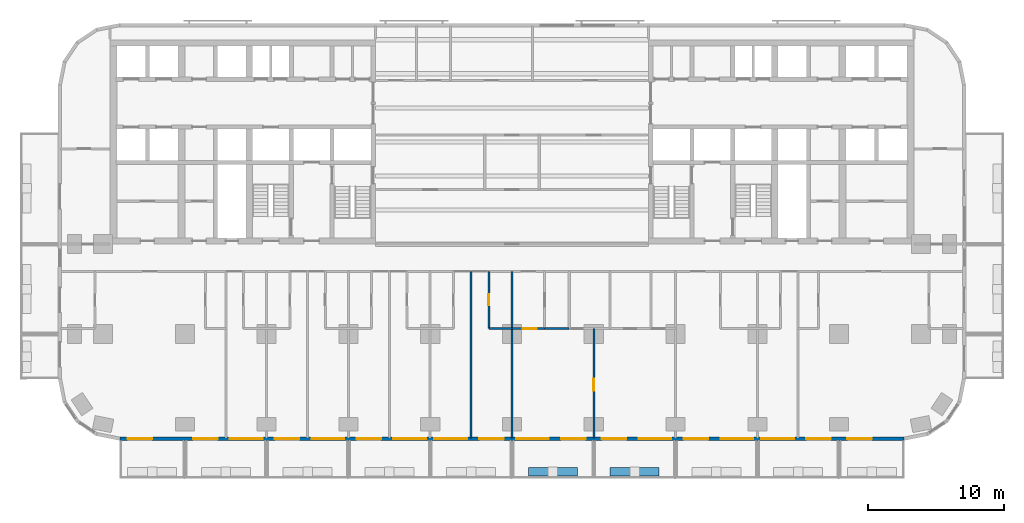
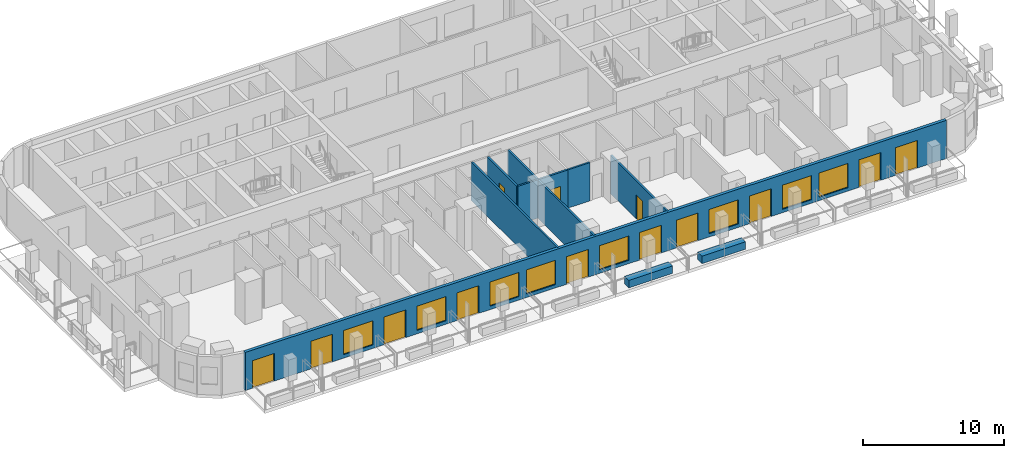
# One storey, part 5 of 14: 13 doors, 11 walls, 8 windows, 21 openings.
"""IFC4 building model written with IfcOpenShell, lengths in metres."""

from ifc_helpers import new_model, si_unit, direction, frame, frame_2d, origin, place, context, subcontext, project, spatial, rectangle, extrude, material, layer, layer_set, type_object, element, fill, save


model = new_model("IFC4")

# Units and contexts
model_context = context("Model", 3, precision=1e-05, world=origin(), true_north=direction((0.0, 1.0)))
body_context = subcontext(model_context, "Body", "Model", "MODEL_VIEW")
ifc_project = project(units=[si_unit("LENGTHUNIT", "METRE"), si_unit("AREAUNIT", "SQUARE_METRE"), si_unit("VOLUMEUNIT", "CUBIC_METRE"), si_unit("PLANEANGLEUNIT", "RADIAN"), si_unit("MASSUNIT", "GRAM", prefix="KILO")], contexts=[model_context])

# Site, building, storey
site_placement = place(None, origin())
site = spatial("IfcSite", under=ifc_project, at=site_placement, CompositionType="ELEMENT")
building_placement = place(site_placement, origin())
building = spatial("IfcBuilding", under=site, at=building_placement, Name="Torana Hotel and Residences", CompositionType="ELEMENT")
storey_placement = place(building_placement, frame((0.0, 0.0, 63.60009765625)))
storey = spatial("IfcBuildingStorey", under=building, at=storey_placement, Name="L15", CompositionType="ELEMENT", Elevation=63.60009765625)

# Wall, openings, doors, windows
ifc_material_1 = material(Name="Black aluminium composite panel", Category="aluminium")
ifc_layer_1 = layer(ifc_material_1, 0.00390625, Name="Cladding", Category="cladding")
ifc_material_2 = material(Name="Ventilated air cavity")
ifc_layer_2 = layer(ifc_material_2, 0.0400390625, Name="Ventilated cavity", Category="cavity")
ifc_material_3 = material(Name="Mineral wool insulation")
ifc_layer_3 = layer(ifc_material_3, 0.090087890625, Name="Insulation", Category="insulation")
ifc_material_4 = material(Name="Steel S280GD", Category="steel")
ifc_layer_4 = layer(ifc_material_4, 0.092041015625, Name="Steel stud frame", Category="structure")
ifc_material_5 = material(Name="Fire rated plasterboard")
ifc_layer_5 = layer(ifc_material_5, 0.011962890625, Name="Inner board", Category="finish")
ifc_layer_6 = layer(ifc_material_5, 0.011962890625, Name="Second board", Category="finish")
ifc_layer_set_1 = layer_set([ifc_layer_1, ifc_layer_2, ifc_layer_3, ifc_layer_4, ifc_layer_5, ifc_layer_6], Name="EW1 EXTERNAL WALL BLACK METAL CLAD 250")
wall_type_1 = type_object("IfcWallType", Name="EW1 EXTERNAL WALL BLACK METAL CLAD 250", PredefinedType="SOLIDWALL", material=ifc_layer_set_1)
wall_1_placement = place(storey_placement, frame((-28.775390625, -29.27490234375, 0.0), z_axis=(0.0, 0.0, 1.0), x_axis=(1.0, 0.0, 0.0)))
wall_1 = element("IfcWall", 1, at=wall_1_placement, inside=storey, type_object=wall_type_1, Name="External wall L15 e0.14", PredefinedType="SOLIDWALL", context=body_context, shape_type="SweptSolid", body=[
    extrude(rectangle(XDim=57.55078125, YDim=0.25, at=frame_2d((28.775390625, 0.0))), origin(), (0.0, 0.0, 1.0), 3.31982421875),
])
opening_1_placement = place(wall_1_placement, frame((0.575439453125, 0.0, 0.0)))
opening_1 = element("IfcOpeningElement", 2, at=opening_1_placement, cuts=wall_1, Name="Opening L15-E01", PredefinedType="OPENING", context=body_context, shape_type="SweptSolid", body=[
    extrude(rectangle(XDim=1.800048828125, YDim=2.39990234375, at=frame_2d((0.89990234375, 1.199951171875))), frame((0.0, 0.135009765625, 0.0), z_axis=(0.0, -1.0, 0.0), x_axis=(1.0, 0.0, 0.0)), (0.0, 0.0, 1.0), 0.27001953125),
])
opening_2_placement = place(wall_1_placement, frame((5.37548828125, 0.0, 0.0)))
opening_2 = element("IfcOpeningElement", 3, at=opening_2_placement, cuts=wall_1, Name="Opening L15-E02", PredefinedType="OPENING", context=body_context, shape_type="SweptSolid", body=[
    extrude(rectangle(XDim=1.800048828125, YDim=2.39990234375, at=frame_2d((0.89990234375, 1.199951171875))), frame((0.0, 0.135009765625, 0.0), z_axis=(0.0, -1.0, 0.0), x_axis=(1.0, 0.0, 0.0)), (0.0, 0.0, 1.0), 0.27001953125),
])
opening_3_placement = place(wall_1_placement, frame((8.075439453125, 0.0, 0.300048828125)))
opening_3 = element("IfcOpeningElement", 4, at=opening_3_placement, cuts=wall_1, Name="Opening W1", PredefinedType="OPENING", context=body_context, shape_type="SweptSolid", body=[
    extrude(rectangle(XDim=2.39990234375, YDim=2.10009765625, at=frame_2d((1.199951171875, 1.050048828125))), frame((0.0, 0.135009765625, 0.0), z_axis=(0.0, -1.0, 0.0), x_axis=(1.0, 0.0, 0.0)), (0.0, 0.0, 1.0), 0.27001953125),
])
opening_4_placement = place(wall_1_placement, frame((11.37548828125, 0.0, 0.0)))
opening_4 = element("IfcOpeningElement", 5, at=opening_4_placement, cuts=wall_1, Name="Opening L15-E03", PredefinedType="OPENING", context=body_context, shape_type="SweptSolid", body=[
    extrude(rectangle(XDim=1.800048828125, YDim=2.39990234375, at=frame_2d((0.89990234375, 1.199951171875))), frame((0.0, 0.135009765625, 0.0), z_axis=(0.0, -1.0, 0.0), x_axis=(1.0, 0.0, 0.0)), (0.0, 0.0, 1.0), 0.27001953125),
])
opening_5_placement = place(wall_1_placement, frame((14.075439453125, 0.0, 0.300048828125)))
opening_5 = element("IfcOpeningElement", 6, at=opening_5_placement, cuts=wall_1, Name="Opening W1", PredefinedType="OPENING", context=body_context, shape_type="SweptSolid", body=[
    extrude(rectangle(XDim=2.39990234375, YDim=2.10009765625, at=frame_2d((1.199951171875, 1.050048828125))), frame((0.0, 0.135009765625, 0.0), z_axis=(0.0, -1.0, 0.0), x_axis=(1.0, 0.0, 0.0)), (0.0, 0.0, 1.0), 0.27001953125),
])
opening_6_placement = place(wall_1_placement, frame((17.37548828125, 0.0, 0.0)))
opening_6 = element("IfcOpeningElement", 7, at=opening_6_placement, cuts=wall_1, Name="Opening L15-E04", PredefinedType="OPENING", context=body_context, shape_type="SweptSolid", body=[
    extrude(rectangle(XDim=1.800048828125, YDim=2.39990234375, at=frame_2d((0.89990234375, 1.199951171875))), frame((0.0, 0.135009765625, 0.0), z_axis=(0.0, -1.0, 0.0), x_axis=(1.0, 0.0, 0.0)), (0.0, 0.0, 1.0), 0.27001953125),
])
opening_7_placement = place(wall_1_placement, frame((20.075439453125, 0.0, 0.300048828125)))
opening_7 = element("IfcOpeningElement", 8, at=opening_7_placement, cuts=wall_1, Name="Opening W1", PredefinedType="OPENING", context=body_context, shape_type="SweptSolid", body=[
    extrude(rectangle(XDim=2.39990234375, YDim=2.10009765625, at=frame_2d((1.199951171875, 1.050048828125))), frame((0.0, 0.135009765625, 0.0), z_axis=(0.0, -1.0, 0.0), x_axis=(1.0, 0.0, 0.0)), (0.0, 0.0, 1.0), 0.27001953125),
])
opening_8_placement = place(wall_1_placement, frame((23.075439453125, 0.0, 0.300048828125)))
opening_8 = element("IfcOpeningElement", 9, at=opening_8_placement, cuts=wall_1, Name="Opening W1", PredefinedType="OPENING", context=body_context, shape_type="SweptSolid", body=[
    extrude(rectangle(XDim=2.39990234375, YDim=2.10009765625, at=frame_2d((1.199951171875, 1.050048828125))), frame((0.0, 0.135009765625, 0.0), z_axis=(0.0, -1.0, 0.0), x_axis=(1.0, 0.0, 0.0)), (0.0, 0.0, 1.0), 0.27001953125),
])
opening_9_placement = place(wall_1_placement, frame((26.37548828125, 0.0, 0.0)))
opening_9 = element("IfcOpeningElement", 10, at=opening_9_placement, cuts=wall_1, Name="Opening L15-E05", PredefinedType="OPENING", context=body_context, shape_type="SweptSolid", body=[
    extrude(rectangle(XDim=1.800048828125, YDim=2.39990234375, at=frame_2d((0.89990234375, 1.199951171875))), frame((0.0, 0.135009765625, 0.0), z_axis=(0.0, -1.0, 0.0), x_axis=(1.0, 0.0, 0.0)), (0.0, 0.0, 1.0), 0.27001953125),
])
opening_10_placement = place(wall_1_placement, frame((29.075439453125, 0.0, 0.300048828125)))
opening_10 = element("IfcOpeningElement", 11, at=opening_10_placement, cuts=wall_1, Name="Opening W1", PredefinedType="OPENING", context=body_context, shape_type="SweptSolid", body=[
    extrude(rectangle(XDim=2.39990234375, YDim=2.10009765625, at=frame_2d((1.199951171875, 1.050048828125))), frame((0.0, 0.135009765625, 0.0), z_axis=(0.0, -1.0, 0.0), x_axis=(1.0, 0.0, 0.0)), (0.0, 0.0, 1.0), 0.27001953125),
])
opening_11_placement = place(wall_1_placement, frame((32.37548828125, 0.0, 0.0)))
opening_11 = element("IfcOpeningElement", 12, at=opening_11_placement, cuts=wall_1, Name="Opening L15-E06", PredefinedType="OPENING", context=body_context, shape_type="SweptSolid", body=[
    extrude(rectangle(XDim=1.800048828125, YDim=2.39990234375, at=frame_2d((0.89990234375, 1.199951171875))), frame((0.0, 0.135009765625, 0.0), z_axis=(0.0, -1.0, 0.0), x_axis=(1.0, 0.0, 0.0)), (0.0, 0.0, 1.0), 0.27001953125),
])
opening_12_placement = place(wall_1_placement, frame((35.37548828125, 0.0, 0.0)))
opening_12 = element("IfcOpeningElement", 13, at=opening_12_placement, cuts=wall_1, Name="Opening L15-E07", PredefinedType="OPENING", context=body_context, shape_type="SweptSolid", body=[
    extrude(rectangle(XDim=1.800048828125, YDim=2.39990234375, at=frame_2d((0.89990234375, 1.199951171875))), frame((0.0, 0.135009765625, 0.0), z_axis=(0.0, -1.0, 0.0), x_axis=(1.0, 0.0, 0.0)), (0.0, 0.0, 1.0), 0.27001953125),
])
opening_13_placement = place(wall_1_placement, frame((38.075439453125, 0.0, 0.300048828125)))
opening_13 = element("IfcOpeningElement", 14, at=opening_13_placement, cuts=wall_1, Name="Opening W1", PredefinedType="OPENING", context=body_context, shape_type="SweptSolid", body=[
    extrude(rectangle(XDim=2.39990234375, YDim=2.10009765625, at=frame_2d((1.199951171875, 1.050048828125))), frame((0.0, 0.135009765625, 0.0), z_axis=(0.0, -1.0, 0.0), x_axis=(1.0, 0.0, 0.0)), (0.0, 0.0, 1.0), 0.27001953125),
])
opening_14_placement = place(wall_1_placement, frame((41.37548828125, 0.0, 0.0)))
opening_14 = element("IfcOpeningElement", 15, at=opening_14_placement, cuts=wall_1, Name="Opening L15-E08", PredefinedType="OPENING", context=body_context, shape_type="SweptSolid", body=[
    extrude(rectangle(XDim=1.800048828125, YDim=2.39990234375, at=frame_2d((0.89990234375, 1.199951171875))), frame((0.0, 0.135009765625, 0.0), z_axis=(0.0, -1.0, 0.0), x_axis=(1.0, 0.0, 0.0)), (0.0, 0.0, 1.0), 0.27001953125),
])
opening_15_placement = place(wall_1_placement, frame((44.075439453125, 0.0, 0.300048828125)))
opening_15 = element("IfcOpeningElement", 16, at=opening_15_placement, cuts=wall_1, Name="Opening W1", PredefinedType="OPENING", context=body_context, shape_type="SweptSolid", body=[
    extrude(rectangle(XDim=2.39990234375, YDim=2.10009765625, at=frame_2d((1.199951171875, 1.050048828125))), frame((0.0, 0.135009765625, 0.0), z_axis=(0.0, -1.0, 0.0), x_axis=(1.0, 0.0, 0.0)), (0.0, 0.0, 1.0), 0.27001953125),
])
opening_16_placement = place(wall_1_placement, frame((47.075439453125, 0.0, 0.300048828125)))
opening_16 = element("IfcOpeningElement", 17, at=opening_16_placement, cuts=wall_1, Name="Opening W1", PredefinedType="OPENING", context=body_context, shape_type="SweptSolid", body=[
    extrude(rectangle(XDim=2.39990234375, YDim=2.10009765625, at=frame_2d((1.199951171875, 1.050048828125))), frame((0.0, 0.135009765625, 0.0), z_axis=(0.0, -1.0, 0.0), x_axis=(1.0, 0.0, 0.0)), (0.0, 0.0, 1.0), 0.27001953125),
])
opening_17_placement = place(wall_1_placement, frame((50.37548828125, 0.0, 0.0)))
opening_17 = element("IfcOpeningElement", 18, at=opening_17_placement, cuts=wall_1, Name="Opening L15-E09", PredefinedType="OPENING", context=body_context, shape_type="SweptSolid", body=[
    extrude(rectangle(XDim=1.800048828125, YDim=2.39990234375, at=frame_2d((0.89990234375, 1.199951171875))), frame((0.0, 0.135009765625, 0.0), z_axis=(0.0, -1.0, 0.0), x_axis=(1.0, 0.0, 0.0)), (0.0, 0.0, 1.0), 0.27001953125),
])
opening_18_placement = place(wall_1_placement, frame((53.37548828125, 0.0, 0.0)))
opening_18 = element("IfcOpeningElement", 19, at=opening_18_placement, cuts=wall_1, Name="Opening L15-E10", PredefinedType="OPENING", context=body_context, shape_type="SweptSolid", body=[
    extrude(rectangle(XDim=1.800048828125, YDim=2.39990234375, at=frame_2d((0.89990234375, 1.199951171875))), frame((0.0, 0.135009765625, 0.0), z_axis=(0.0, -1.0, 0.0), x_axis=(1.0, 0.0, 0.0)), (0.0, 0.0, 1.0), 0.27001953125),
])
ifc_material_6 = material(Name="Dark glass in black aluminium frame", Category="aluminium")
door_type_1 = type_object("IfcDoorType", Name="DB1 BALCONY DOOR 1800x2400", OperationType="DOUBLE_DOOR_SINGLE_SWING", PredefinedType="DOOR", material=ifc_material_6)
door_1_placement = place(opening_1_placement, origin())
door_1 = element("IfcDoor", 20, at=door_1_placement, inside=storey, type_object=door_type_1, Name="Balcony door L15", OperationType="DOUBLE_DOOR_SINGLE_SWING", OverallHeight=2.39990234375, OverallWidth=1.800048828125, PredefinedType="DOOR", context=body_context, shape_type="SweptSolid", body=[
    extrude(rectangle(XDim=1.800048828125, YDim=2.39990234375, at=frame_2d((0.89990234375, 1.199951171875))), frame((0.0, 0.02490234375, 0.0), z_axis=(0.0, -1.0, 0.0), x_axis=(1.0, 0.0, 0.0)), (0.0, 0.0, 1.0), 0.050048828125),
])
fill(opening_1, door_1)
door_2_placement = place(opening_2_placement, frame((0.89990234375, 0.0, 0.0), z_axis=(0.0, 0.0, 1.0), x_axis=(-1.0, 0.0, 0.0)))
door_2 = element("IfcDoor", 21, at=door_2_placement, inside=storey, type_object=door_type_1, Name="Balcony door L15", OperationType="DOUBLE_DOOR_SINGLE_SWING", OverallHeight=2.39990234375, OverallWidth=1.800048828125, PredefinedType="DOOR", context=body_context, shape_type="SweptSolid", body=[
    extrude(rectangle(XDim=1.800048828125, YDim=2.39990234375, at=frame_2d((0.0, 1.199951171875))), frame((0.0, -0.02490234375, 0.0), z_axis=(0.0, 1.0, 0.0), x_axis=(-1.0, 0.0, 0.0)), (0.0, 0.0, 1.0), 0.050048828125),
])
fill(opening_2, door_2)
door_3_placement = place(opening_4_placement, frame((0.89990234375, 0.0, 0.0), z_axis=(0.0, 0.0, 1.0), x_axis=(-1.0, 0.0, 0.0)))
door_3 = element("IfcDoor", 22, at=door_3_placement, inside=storey, type_object=door_type_1, Name="Balcony door L15", OperationType="DOUBLE_DOOR_SINGLE_SWING", OverallHeight=2.39990234375, OverallWidth=1.800048828125, PredefinedType="DOOR", context=body_context, shape_type="SweptSolid", body=[
    extrude(rectangle(XDim=1.800048828125, YDim=2.39990234375, at=frame_2d((0.0, 1.199951171875))), frame((0.0, -0.02490234375, 0.0), z_axis=(0.0, 1.0, 0.0), x_axis=(-1.0, 0.0, 0.0)), (0.0, 0.0, 1.0), 0.050048828125),
])
fill(opening_4, door_3)
door_4_placement = place(opening_6_placement, frame((0.89990234375, 0.0, 0.0), z_axis=(0.0, 0.0, 1.0), x_axis=(-1.0, 0.0, 0.0)))
door_4 = element("IfcDoor", 23, at=door_4_placement, inside=storey, type_object=door_type_1, Name="Balcony door L15", OperationType="DOUBLE_DOOR_SINGLE_SWING", OverallHeight=2.39990234375, OverallWidth=1.800048828125, PredefinedType="DOOR", context=body_context, shape_type="SweptSolid", body=[
    extrude(rectangle(XDim=1.800048828125, YDim=2.39990234375, at=frame_2d((0.0, 1.199951171875))), frame((0.0, -0.02490234375, 0.0), z_axis=(0.0, 1.0, 0.0), x_axis=(-1.0, 0.0, 0.0)), (0.0, 0.0, 1.0), 0.050048828125),
])
fill(opening_6, door_4)
door_5_placement = place(opening_9_placement, frame((0.89990234375, 0.0, 0.0), z_axis=(0.0, 0.0, 1.0), x_axis=(-1.0, 0.0, 0.0)))
door_5 = element("IfcDoor", 24, at=door_5_placement, inside=storey, type_object=door_type_1, Name="Balcony door L15", OperationType="DOUBLE_DOOR_SINGLE_SWING", OverallHeight=2.39990234375, OverallWidth=1.800048828125, PredefinedType="DOOR", context=body_context, shape_type="SweptSolid", body=[
    extrude(rectangle(XDim=1.800048828125, YDim=2.39990234375, at=frame_2d((0.0, 1.199951171875))), frame((0.0, -0.02490234375, 0.0), z_axis=(0.0, 1.0, 0.0), x_axis=(-1.0, 0.0, 0.0)), (0.0, 0.0, 1.0), 0.050048828125),
])
fill(opening_9, door_5)
door_6_placement = place(opening_11_placement, frame((0.89990234375, 0.0, 0.0), z_axis=(0.0, 0.0, 1.0), x_axis=(-1.0, 0.0, 0.0)))
door_6 = element("IfcDoor", 25, at=door_6_placement, inside=storey, type_object=door_type_1, Name="Balcony door L15", OperationType="DOUBLE_DOOR_SINGLE_SWING", OverallHeight=2.39990234375, OverallWidth=1.800048828125, PredefinedType="DOOR", context=body_context, shape_type="SweptSolid", body=[
    extrude(rectangle(XDim=1.800048828125, YDim=2.39990234375, at=frame_2d((0.0, 1.199951171875))), frame((0.0, -0.02490234375, 0.0), z_axis=(0.0, 1.0, 0.0), x_axis=(-1.0, 0.0, 0.0)), (0.0, 0.0, 1.0), 0.050048828125),
])
fill(opening_11, door_6)
door_7_placement = place(opening_12_placement, frame((0.89990234375, 0.0, 0.0), z_axis=(0.0, 0.0, 1.0), x_axis=(-1.0, 0.0, 0.0)))
door_7 = element("IfcDoor", 26, at=door_7_placement, inside=storey, type_object=door_type_1, Name="Balcony door L15", OperationType="DOUBLE_DOOR_SINGLE_SWING", OverallHeight=2.39990234375, OverallWidth=1.800048828125, PredefinedType="DOOR", context=body_context, shape_type="SweptSolid", body=[
    extrude(rectangle(XDim=1.800048828125, YDim=2.39990234375, at=frame_2d((0.0, 1.199951171875))), frame((0.0, -0.02490234375, 0.0), z_axis=(0.0, 1.0, 0.0), x_axis=(-1.0, 0.0, 0.0)), (0.0, 0.0, 1.0), 0.050048828125),
])
fill(opening_12, door_7)
door_8_placement = place(opening_14_placement, frame((0.89990234375, 0.0, 0.0), z_axis=(0.0, 0.0, 1.0), x_axis=(-1.0, 0.0, 0.0)))
door_8 = element("IfcDoor", 27, at=door_8_placement, inside=storey, type_object=door_type_1, Name="Balcony door L15", OperationType="DOUBLE_DOOR_SINGLE_SWING", OverallHeight=2.39990234375, OverallWidth=1.800048828125, PredefinedType="DOOR", context=body_context, shape_type="SweptSolid", body=[
    extrude(rectangle(XDim=1.800048828125, YDim=2.39990234375, at=frame_2d((0.0, 1.199951171875))), frame((0.0, -0.02490234375, 0.0), z_axis=(0.0, 1.0, 0.0), x_axis=(-1.0, 0.0, 0.0)), (0.0, 0.0, 1.0), 0.050048828125),
])
fill(opening_14, door_8)
door_9_placement = place(opening_17_placement, frame((0.89990234375, 0.0, 0.0), z_axis=(0.0, 0.0, 1.0), x_axis=(-1.0, 0.0, 0.0)))
door_9 = element("IfcDoor", 28, at=door_9_placement, inside=storey, type_object=door_type_1, Name="Balcony door L15", OperationType="DOUBLE_DOOR_SINGLE_SWING", OverallHeight=2.39990234375, OverallWidth=1.800048828125, PredefinedType="DOOR", context=body_context, shape_type="SweptSolid", body=[
    extrude(rectangle(XDim=1.800048828125, YDim=2.39990234375, at=frame_2d((0.0, 1.199951171875))), frame((0.0, -0.02490234375, 0.0), z_axis=(0.0, 1.0, 0.0), x_axis=(-1.0, 0.0, 0.0)), (0.0, 0.0, 1.0), 0.050048828125),
])
fill(opening_17, door_9)
door_10_placement = place(opening_18_placement, frame((0.89990234375, 0.0, 0.0), z_axis=(0.0, 0.0, 1.0), x_axis=(-1.0, 0.0, 0.0)))
door_10 = element("IfcDoor", 29, at=door_10_placement, inside=storey, type_object=door_type_1, Name="Balcony door L15", OperationType="DOUBLE_DOOR_SINGLE_SWING", OverallHeight=2.39990234375, OverallWidth=1.800048828125, PredefinedType="DOOR", context=body_context, shape_type="SweptSolid", body=[
    extrude(rectangle(XDim=1.800048828125, YDim=2.39990234375, at=frame_2d((0.0, 1.199951171875))), frame((0.0, -0.02490234375, 0.0), z_axis=(0.0, 1.0, 0.0), x_axis=(-1.0, 0.0, 0.0)), (0.0, 0.0, 1.0), 0.050048828125),
])
fill(opening_18, door_10)
ifc_material_7 = material(Name="Dark glass in black aluminium frame", Category="aluminium")
window_type = type_object("IfcWindowType", Name="W1 HOTEL ROOM WINDOW 2400x2100", PartitioningType="SINGLE_PANEL", PredefinedType="WINDOW", material=ifc_material_7)
window_1_placement = place(opening_3_placement, origin())
window_1 = element("IfcWindow", 30, at=window_1_placement, inside=storey, type_object=window_type, Name="Window L15", OverallHeight=2.10009765625, OverallWidth=2.39990234375, PartitioningType="SINGLE_PANEL", PredefinedType="WINDOW", context=body_context, shape_type="SweptSolid", body=[
    extrude(rectangle(XDim=2.39990234375, YDim=2.10009765625, at=frame_2d((1.199951171875, 1.050048828125))), frame((0.0, 0.030029296875, 0.0), z_axis=(0.0, -1.0, 0.0), x_axis=(1.0, 0.0, 0.0)), (0.0, 0.0, 1.0), 0.06005859375),
])
fill(opening_3, window_1)
window_2_placement = place(opening_5_placement, origin())
window_2 = element("IfcWindow", 31, at=window_2_placement, inside=storey, type_object=window_type, Name="Window L15", OverallHeight=2.10009765625, OverallWidth=2.39990234375, PartitioningType="SINGLE_PANEL", PredefinedType="WINDOW", context=body_context, shape_type="SweptSolid", body=[
    extrude(rectangle(XDim=2.39990234375, YDim=2.10009765625, at=frame_2d((1.199951171875, 1.050048828125))), frame((0.0, 0.030029296875, 0.0), z_axis=(0.0, -1.0, 0.0), x_axis=(1.0, 0.0, 0.0)), (0.0, 0.0, 1.0), 0.06005859375),
])
fill(opening_5, window_2)
window_3_placement = place(opening_7_placement, origin())
window_3 = element("IfcWindow", 32, at=window_3_placement, inside=storey, type_object=window_type, Name="Window L15", OverallHeight=2.10009765625, OverallWidth=2.39990234375, PartitioningType="SINGLE_PANEL", PredefinedType="WINDOW", context=body_context, shape_type="SweptSolid", body=[
    extrude(rectangle(XDim=2.39990234375, YDim=2.10009765625, at=frame_2d((1.199951171875, 1.050048828125))), frame((0.0, 0.030029296875, 0.0), z_axis=(0.0, -1.0, 0.0), x_axis=(1.0, 0.0, 0.0)), (0.0, 0.0, 1.0), 0.06005859375),
])
fill(opening_7, window_3)
window_4_placement = place(opening_8_placement, origin())
window_4 = element("IfcWindow", 33, at=window_4_placement, inside=storey, type_object=window_type, Name="Window L15", OverallHeight=2.10009765625, OverallWidth=2.39990234375, PartitioningType="SINGLE_PANEL", PredefinedType="WINDOW", context=body_context, shape_type="SweptSolid", body=[
    extrude(rectangle(XDim=2.39990234375, YDim=2.10009765625, at=frame_2d((1.199951171875, 1.050048828125))), frame((0.0, 0.030029296875, 0.0), z_axis=(0.0, -1.0, 0.0), x_axis=(1.0, 0.0, 0.0)), (0.0, 0.0, 1.0), 0.06005859375),
])
fill(opening_8, window_4)
window_5_placement = place(opening_10_placement, origin())
window_5 = element("IfcWindow", 34, at=window_5_placement, inside=storey, type_object=window_type, Name="Window L15", OverallHeight=2.10009765625, OverallWidth=2.39990234375, PartitioningType="SINGLE_PANEL", PredefinedType="WINDOW", context=body_context, shape_type="SweptSolid", body=[
    extrude(rectangle(XDim=2.39990234375, YDim=2.10009765625, at=frame_2d((1.199951171875, 1.050048828125))), frame((0.0, 0.030029296875, 0.0), z_axis=(0.0, -1.0, 0.0), x_axis=(1.0, 0.0, 0.0)), (0.0, 0.0, 1.0), 0.06005859375),
])
fill(opening_10, window_5)
window_6_placement = place(opening_13_placement, origin())
window_6 = element("IfcWindow", 35, at=window_6_placement, inside=storey, type_object=window_type, Name="Window L15", OverallHeight=2.10009765625, OverallWidth=2.39990234375, PartitioningType="SINGLE_PANEL", PredefinedType="WINDOW", context=body_context, shape_type="SweptSolid", body=[
    extrude(rectangle(XDim=2.39990234375, YDim=2.10009765625, at=frame_2d((1.199951171875, 1.050048828125))), frame((0.0, 0.030029296875, 0.0), z_axis=(0.0, -1.0, 0.0), x_axis=(1.0, 0.0, 0.0)), (0.0, 0.0, 1.0), 0.06005859375),
])
fill(opening_13, window_6)
window_7_placement = place(opening_15_placement, origin())
window_7 = element("IfcWindow", 36, at=window_7_placement, inside=storey, type_object=window_type, Name="Window L15", OverallHeight=2.10009765625, OverallWidth=2.39990234375, PartitioningType="SINGLE_PANEL", PredefinedType="WINDOW", context=body_context, shape_type="SweptSolid", body=[
    extrude(rectangle(XDim=2.39990234375, YDim=2.10009765625, at=frame_2d((1.199951171875, 1.050048828125))), frame((0.0, 0.030029296875, 0.0), z_axis=(0.0, -1.0, 0.0), x_axis=(1.0, 0.0, 0.0)), (0.0, 0.0, 1.0), 0.06005859375),
])
fill(opening_15, window_7)
window_8_placement = place(opening_16_placement, origin())
window_8 = element("IfcWindow", 37, at=window_8_placement, inside=storey, type_object=window_type, Name="Window L15", OverallHeight=2.10009765625, OverallWidth=2.39990234375, PartitioningType="SINGLE_PANEL", PredefinedType="WINDOW", context=body_context, shape_type="SweptSolid", body=[
    extrude(rectangle(XDim=2.39990234375, YDim=2.10009765625, at=frame_2d((1.199951171875, 1.050048828125))), frame((0.0, 0.030029296875, 0.0), z_axis=(0.0, -1.0, 0.0), x_axis=(1.0, 0.0, 0.0)), (0.0, 0.0, 1.0), 0.06005859375),
])
fill(opening_16, window_8)

# Wall
ifc_material_8 = material(Name="Gypsum plaster")
ifc_layer_7 = layer(ifc_material_8, 0.014892578125, Name="Plaster", Category="finish")
ifc_material_9 = material(Name="Concrete blockwork", Category="masonry")
ifc_layer_8 = layer(ifc_material_9, 0.1201171875, Name="Blockwork", Category="structure")
ifc_layer_9 = layer(ifc_material_8, 0.014892578125, Name="Plaster", Category="finish")
ifc_layer_set_2 = layer_set([ifc_layer_7, ifc_layer_8, ifc_layer_9], Name="FIRE PARTITION 150 BLOCKWORK")
wall_type_2 = type_object("IfcWallType", Name="FIRE PARTITION 150 BLOCKWORK", PredefinedType="PARTITIONING", material=ifc_layer_set_2)
wall_2_placement = place(storey_placement, frame((0.0, -21.199951171875, 0.0), z_axis=(0.0, 0.0, 1.0), x_axis=(0.0, 1.0, 0.0)))
element("IfcWall", 38, at=wall_2_placement, inside=storey, type_object=wall_type_2, Name="Partition L15", PredefinedType="PARTITIONING", context=body_context, shape_type="SweptSolid", body=[
    extrude(rectangle(XDim=4.199951171875, YDim=0.14990234375, at=frame_2d((2.10009765625, 0.0))), origin(), (0.0, 0.0, 1.0), 3.31982421875),
])

# Wall, opening, door
wall_3_placement = place(storey_placement, frame((0.0, -21.199951171875, 0.0), z_axis=(0.0, 0.0, 1.0), x_axis=(1.0, 0.0, 0.0)))
wall_3 = element("IfcWall", 39, at=wall_3_placement, inside=storey, type_object=wall_type_2, Name="Partition L15", PredefinedType="PARTITIONING", context=body_context, shape_type="SweptSolid", body=[
    extrude(rectangle(XDim=2.39990234375, YDim=0.14990234375, at=frame_2d((1.199951171875, 0.0))), origin(), (0.0, 0.0, 1.0), 3.31982421875),
])
opening_19_placement = place(wall_3_placement, frame((0.800048828125, 0.0, 0.0)))
opening_19 = element("IfcOpeningElement", 40, at=opening_19_placement, cuts=wall_3, Name="Opening L15-70", PredefinedType="OPENING", context=body_context, shape_type="SweptSolid", body=[
    extrude(rectangle(XDim=1.0, YDim=2.10009765625, at=frame_2d((0.5, 1.050048828125))), frame((0.0, 0.0849609375, 0.0), z_axis=(0.0, -1.0, 0.0), x_axis=(1.0, 0.0, 0.0)), (0.0, 0.0, 1.0), 0.169921875),
])
ifc_material_10 = material(Name="Steel S235", Category="steel")
door_type_2 = type_object("IfcDoorType", Name="ENTRY FIRE DOOR D6 1000x2100", OperationType="SINGLE_SWING_LEFT", PredefinedType="DOOR", material=ifc_material_10)
door_11_placement = place(opening_19_placement, frame((0.5, 0.0, 0.0), z_axis=(0.0, 0.0, 1.0), x_axis=(-1.0, 0.0, 0.0)))
door_11 = element("IfcDoor", 41, at=door_11_placement, inside=storey, type_object=door_type_2, Name="Door L15", OperationType="SINGLE_SWING_LEFT", OverallHeight=2.10009765625, OverallWidth=1.0, PredefinedType="DOOR", context=body_context, shape_type="SweptSolid", body=[
    extrude(rectangle(XDim=1.0, YDim=2.10009765625, at=frame_2d((0.0, 1.050048828125))), frame((0.0, -0.02490234375, 0.0), z_axis=(0.0, 1.0, 0.0), x_axis=(-1.0, 0.0, 0.0)), (0.0, 0.0, 1.0), 0.050048828125),
])
fill(opening_19, door_11)

ifc_material_11 = material(Name="Gypsum plasterboard")
ifc_layer_10 = layer(ifc_material_11, 0.012451171875, Name="Plasterboard", Category="finish")
ifc_layer_11 = layer(ifc_material_11, 0.012451171875, Name="Plasterboard", Category="finish")
ifc_layer_12 = layer(ifc_material_4, 0.10009765625, Name="Steel studs with mineral wool", Category="insulation")
ifc_layer_13 = layer(ifc_material_11, 0.012451171875, Name="Plasterboard", Category="finish")
ifc_layer_14 = layer(ifc_material_11, 0.012451171875, Name="Plasterboard", Category="finish")
ifc_layer_set_3 = layer_set([ifc_layer_10, ifc_layer_11, ifc_layer_12, ifc_layer_13, ifc_layer_14], Name="PARTITION 150 PLASTERBOARD")
wall_type_3 = type_object("IfcWallType", Name="PARTITION 150 PLASTERBOARD", PredefinedType="PARTITIONING", material=ifc_layer_set_3)
wall_4_placement = place(storey_placement, frame((6.0, -29.219970703125, 0.0), z_axis=(0.0, 0.0, 1.0), x_axis=(0.0, 1.0, 0.0)))
wall_4 = element("IfcWall", 42, at=wall_4_placement, inside=storey, type_object=wall_type_3, Name="Partition L15", PredefinedType="PARTITIONING", context=body_context, shape_type="SweptSolid", body=[
    extrude(rectangle(XDim=8.02001953125, YDim=0.14990234375, at=frame_2d((4.010009765625, 0.0))), origin(), (0.0, 0.0, 1.0), 3.31982421875),
])
opening_20_placement = place(wall_4_placement, frame((3.449951171875, 0.0, 0.0)))
opening_20 = element("IfcOpeningElement", 43, at=opening_20_placement, cuts=wall_4, Name="Opening L15-74", PredefinedType="OPENING", context=body_context, shape_type="SweptSolid", body=[
    extrude(rectangle(XDim=0.89990234375, YDim=2.10009765625, at=frame_2d((0.449951171875, 1.050048828125))), frame((0.0, 0.0849609375, 0.0), z_axis=(0.0, -1.0, 0.0), x_axis=(1.0, 0.0, 0.0)), (0.0, 0.0, 1.0), 0.169921875),
])
ifc_material_12 = material(Name="Timber door, oiled ash", Category="wood")
door_type_3 = type_object("IfcDoorType", Name="ROOM DOOR D7 900x2100", OperationType="SINGLE_SWING_LEFT", PredefinedType="DOOR", material=ifc_material_12)
door_12_placement = place(opening_20_placement, origin())
door_12 = element("IfcDoor", 44, at=door_12_placement, inside=storey, type_object=door_type_3, Name="Door L15", OperationType="SINGLE_SWING_RIGHT", OverallHeight=2.10009765625, OverallWidth=0.89990234375, PredefinedType="DOOR", context=body_context, shape_type="SweptSolid", body=[
    extrude(rectangle(XDim=0.89990234375, YDim=2.10009765625, at=frame_2d((0.449951171875, 1.050048828125))), frame((0.0, 0.02490234375, 0.0), z_axis=(0.0, -1.0, 0.0), x_axis=(1.0, 0.0, 0.0)), (0.0, 0.0, 1.0), 0.050048828125),
])
fill(opening_20, door_12)

# Wall
wall_5_placement = place(storey_placement, frame((0.0, -29.219970703125, 0.0), z_axis=(0.0, 0.0, 1.0), x_axis=(0.0, 1.0, 0.0)))
element("IfcWall", 45, at=wall_5_placement, inside=storey, type_object=wall_type_3, Name="Partition L15", PredefinedType="PARTITIONING", context=body_context, shape_type="SweptSolid", body=[
    extrude(rectangle(XDim=8.02001953125, YDim=0.14990234375, at=frame_2d((4.010009765625, 0.0))), origin(), (0.0, 0.0, 1.0), 3.31982421875),
])

# Wall, opening, door
wall_6_placement = place(storey_placement, frame((-1.699951171875, -21.199951171875, 0.0), z_axis=(0.0, 0.0, 1.0), x_axis=(0.0, 1.0, 0.0)))
wall_6 = element("IfcWall", 46, at=wall_6_placement, inside=storey, type_object=wall_type_3, Name="Partition L15", PredefinedType="PARTITIONING", context=body_context, shape_type="SweptSolid", body=[
    extrude(rectangle(XDim=4.199951171875, YDim=0.14990234375, at=frame_2d((2.10009765625, 0.0))), origin(), (0.0, 0.0, 1.0), 3.31982421875),
])
opening_21_placement = place(wall_6_placement, frame((1.719970703125, 0.0, 0.0)))
opening_21 = element("IfcOpeningElement", 47, at=opening_21_placement, cuts=wall_6, Name="Opening L15-68", PredefinedType="OPENING", context=body_context, shape_type="SweptSolid", body=[
    extrude(rectangle(XDim=0.800048828125, YDim=2.10009765625, at=frame_2d((0.39990234375, 1.050048828125))), frame((0.0, 0.0849609375, 0.0), z_axis=(0.0, -1.0, 0.0), x_axis=(1.0, 0.0, 0.0)), (0.0, 0.0, 1.0), 0.169921875),
])
ifc_material_13 = material(Name="Timber door, painted", Category="wood")
door_type_4 = type_object("IfcDoorType", Name="BATH DOOR D13 800x2100", OperationType="SINGLE_SWING_LEFT", PredefinedType="DOOR", material=ifc_material_13)
door_13_placement = place(opening_21_placement, origin())
door_13 = element("IfcDoor", 48, at=door_13_placement, inside=storey, type_object=door_type_4, Name="Door L15", OperationType="SINGLE_SWING_RIGHT", OverallHeight=2.10009765625, OverallWidth=0.800048828125, PredefinedType="DOOR", context=body_context, shape_type="SweptSolid", body=[
    extrude(rectangle(XDim=0.800048828125, YDim=2.10009765625, at=frame_2d((0.39990234375, 1.050048828125))), frame((0.0, 0.02490234375, 0.0), z_axis=(0.0, -1.0, 0.0), x_axis=(1.0, 0.0, 0.0)), (0.0, 0.0, 1.0), 0.050048828125),
])
fill(opening_21, door_13)

# Walls
wall_7_placement = place(storey_placement, frame((-3.0, -29.219970703125, 0.0), z_axis=(0.0, 0.0, 1.0), x_axis=(0.0, 1.0, 0.0)))
element("IfcWall", 49, at=wall_7_placement, inside=storey, type_object=wall_type_3, Name="Partition L15", PredefinedType="PARTITIONING", context=body_context, shape_type="SweptSolid", body=[
    extrude(rectangle(XDim=12.219970703125, YDim=0.14990234375, at=frame_2d((6.10986328125, 0.0))), origin(), (0.0, 0.0, 1.0), 3.31982421875),
])
wall_8_placement = place(storey_placement, frame((-1.699951171875, -21.199951171875, 0.0), z_axis=(0.0, 0.0, 1.0), x_axis=(1.0, 0.0, 0.0)))
element("IfcWall", 50, at=wall_8_placement, inside=storey, type_object=wall_type_3, Name="Partition L15", PredefinedType="PARTITIONING", context=body_context, shape_type="SweptSolid", body=[
    extrude(rectangle(XDim=1.699951171875, YDim=0.14990234375, at=frame_2d((0.85009765625, 0.0))), origin(), (0.0, 0.0, 1.0), 3.31982421875),
])
ifc_material_14 = material(Name="Concrete C40/50 precast", Category="concrete")
ifc_layer_15 = layer(ifc_material_14, 0.10009765625, Name="Planter shell", Category="structure")
ifc_material_15 = material(Name="Root resistant membrane")
ifc_layer_16 = layer(ifc_material_15, 0.00390625, Name="Waterproofing membrane", Category="membrane")
ifc_material_16 = material(Name="Drainage board with filter fleece")
ifc_layer_17 = layer(ifc_material_16, 0.02001953125, Name="Drainage board", Category="drainage")
ifc_material_17 = material(Name="Growing medium")
ifc_layer_18 = layer(ifc_material_17, 0.47607421875, Name="Planting substrate", Category="soil")
ifc_layer_set_4 = layer_set([ifc_layer_15, ifc_layer_16, ifc_layer_17, ifc_layer_18], Name="PL1 BALCONY PLANTER 600")
wall_type_4 = type_object("IfcWallType", Name="PL1 BALCONY PLANTER 600", PredefinedType="USERDEFINED", material=ifc_layer_set_4)
for number, where, z_axis, x_axis, name in (
    (51, (4.800048828125, -31.699951171875, 0.0), (0.0, 0.0, 1.0), (-1.0, 0.0, 0.0), "Planter 06"),
    (52, (10.800048828125, -31.699951171875, 0.0), (0.0, 0.0, 1.0), (-1.0, 0.0, 0.0), "Planter 07"),
):
    element("IfcWall", number, at=place(storey_placement, frame(where, z_axis=z_axis, x_axis=x_axis)), inside=storey, type_object=wall_type_4, Name=name, ObjectType="PLANTER", PredefinedType="USERDEFINED", context=body_context, shape_type="SweptSolid", body=[
        extrude(rectangle(XDim=3.60009765625, YDim=0.60009765625, at=frame_2d((1.800048828125, 0.0))), origin(), (0.0, 0.0, 1.0), 0.64990234375),
    ])
ifc_material_18 = material(Name="Ceramic tile on adhesive")
ifc_layer_19 = layer(ifc_material_18, 0.010009765625, Name="Wall tile", Category="finish")
ifc_material_19 = material(Name="Cement render")
ifc_layer_20 = layer(ifc_material_19, 0.010009765625, Name="Render", Category="finish")
ifc_layer_21 = layer(ifc_material_9, 0.110107421875, Name="Blockwork", Category="structure")
ifc_layer_22 = layer(ifc_material_19, 0.010009765625, Name="Render", Category="finish")
ifc_layer_23 = layer(ifc_material_18, 0.010009765625, Name="Wall tile", Category="finish")
ifc_layer_set_5 = layer_set([ifc_layer_19, ifc_layer_20, ifc_layer_21, ifc_layer_22, ifc_layer_23], Name="WC PARTITION 150")
wall_type_5 = type_object("IfcWallType", Name="WC PARTITION 150", PredefinedType="PLUMBINGWALL", material=ifc_layer_set_5)
wall_9_placement = place(storey_placement, frame((2.39990234375, -21.199951171875, 0.0), z_axis=(0.0, 0.0, 1.0), x_axis=(1.0, 0.0, 0.0)))
element("IfcWall", 53, at=wall_9_placement, inside=storey, type_object=wall_type_5, Name="Partition L15", PredefinedType="PLUMBINGWALL", context=body_context, shape_type="SweptSolid", body=[
    extrude(rectangle(XDim=1.800048828125, YDim=0.14990234375, at=frame_2d((0.89990234375, 0.0))), origin(), (0.0, 0.0, 1.0), 3.31982421875),
])

save(model, "model.ifc")
